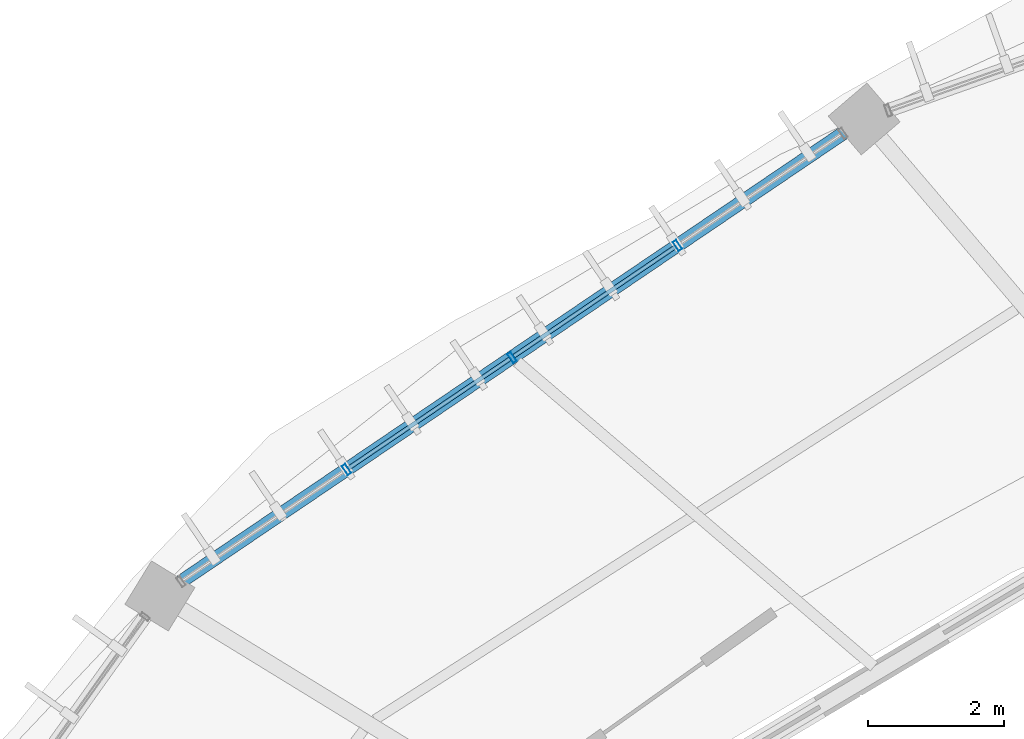
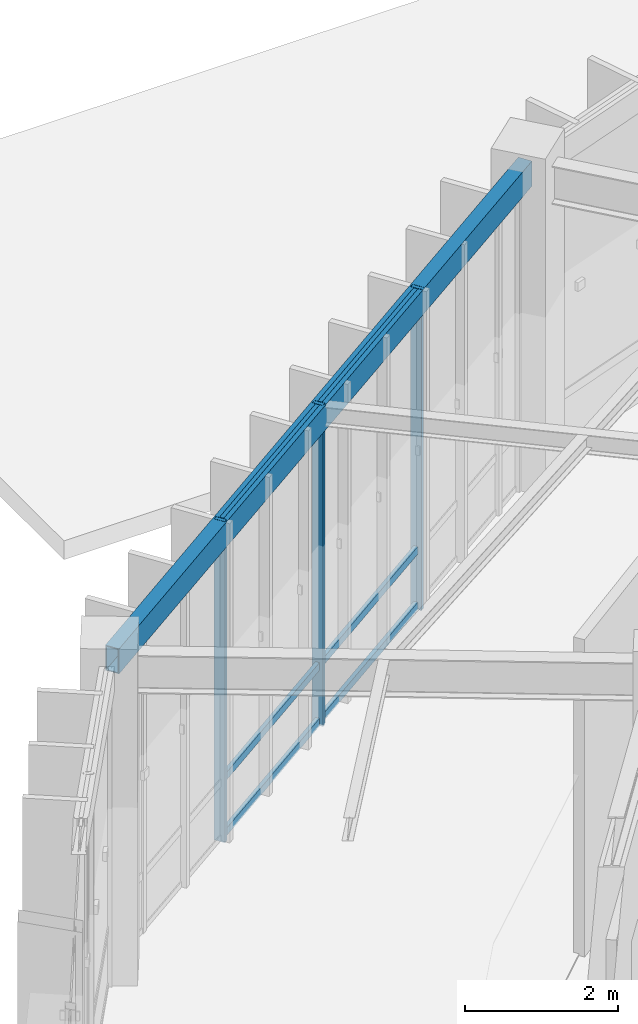
# One storey, part 52 of 157: 9 members, 1 beam, 1 element without a shape of its own.
"""IFC4 building model written with IfcOpenShell, lengths in metres."""

from ifc_helpers import new_model, si_unit, direction, frame, origin, origin_2d, place, context, subcontext, project, spatial, hollow_rectangle, extrude, material, material_profile, profile_set, type_object, element, aggregate, save


model = new_model("IFC4")

# Units and contexts
model_context = context("Model", 3, precision=1e-05, world=origin(), true_north=direction((0.0, 1.0)))
body_context = subcontext(model_context, "Body", "Model", "MODEL_VIEW")
ifc_project = project(units=[si_unit("LENGTHUNIT", "METRE"), si_unit("AREAUNIT", "SQUARE_METRE"), si_unit("VOLUMEUNIT", "CUBIC_METRE"), si_unit("PLANEANGLEUNIT", "RADIAN"), si_unit("MASSUNIT", "GRAM", prefix="KILO"), si_unit("THERMODYNAMICTEMPERATUREUNIT", "KELVIN"), si_unit("POWERUNIT", "WATT")], contexts=[model_context])

# Site, building, storey
site_placement = place(None, origin())
site = spatial("IfcSite", under=ifc_project, at=site_placement, CompositionType="ELEMENT")
building_placement = place(site_placement, origin())
building = spatial("IfcBuilding", under=site, at=building_placement, Name="Darbajah Civic Hall", CompositionType="ELEMENT")
storey_placement = place(building_placement, origin())
storey = spatial("IfcBuildingStorey", under=building, at=storey_placement, Name="L00", CompositionType="ELEMENT", Elevation=0.0)

# Curtain wall, members
ifc_material_1 = material(Name="Anodised Bronze Aluminium and Low-E Glazing", Category="aluminium")
curtain_wall_type = type_object("IfcCurtainWallType", Name="Unitised Curtain Wall CW-08 11800x5100", PredefinedType="USERDEFINED", material=ifc_material_1)
curtain_wall_placement = place(storey_placement, origin())
curtain_wall = element("IfcCurtainWall", 1, at=curtain_wall_placement, inside=storey, type_object=curtain_wall_type, Name="L00 unitised curtain wall CW-V1O-L00-07", ObjectType="UNITISED CURTAIN WALL", PredefinedType="USERDEFINED")
ifc_material_2 = material(Name="Anodised Bronze Aluminium", Category="aluminium")
ifc_material_profile_1 = material_profile(ifc_material_2, hollow_rectangle(XDim=0.06005859375, YDim=0.159912109375, WallThickness=0.00341796875, at=origin_2d()), Name="ALU MULLION 60x160")
ifc_profile_set_1 = profile_set([ifc_material_profile_1], Name="Anodised Bronze Aluminium")
member_type_1 = type_object("IfcMemberType", Name="ALU MULLION 60x160", PredefinedType="MULLION", material=ifc_profile_set_1)
member_1_placement = place(storey_placement, frame((53.2314453125, 110.37158203125, 0.0), z_axis=(0.0, 0.0, 1.0), x_axis=(-0.827962472047, -0.560783509816, 0.0)))
member_1 = element("IfcMember", 2, at=member_1_placement, type_object=member_type_1, Name="CW-V1O-L00-07 mullion 2", PredefinedType="MULLION", context=body_context, shape_type="SweptSolid", body=[
    extrude(hollow_rectangle(XDim=0.06005859375, YDim=0.159912109375, WallThickness=0.00341796875, at=origin_2d()), origin(), (0.0, 0.0, 1.0), 5.1201171875),
])
member_2_placement = place(storey_placement, frame((50.796875, 108.722900390625, 0.0), z_axis=(0.0, 0.0, 1.0), x_axis=(-0.827962472047, -0.560783509816, 0.0)))
member_2 = element("IfcMember", 3, at=member_2_placement, type_object=member_type_1, Name="CW-V1O-L00-07 mullion 3", PredefinedType="MULLION", context=body_context, shape_type="SweptSolid", body=[
    extrude(hollow_rectangle(XDim=0.06005859375, YDim=0.159912109375, WallThickness=0.00341796875, at=origin_2d()), origin(), (0.0, 0.0, 1.0), 5.1201171875),
])
member_3_placement = place(storey_placement, frame((48.362060546875, 107.073974609375, 0.0), z_axis=(0.0, 0.0, 1.0), x_axis=(-0.827962472047, -0.560783509816, 0.0)))
member_3 = element("IfcMember", 4, at=member_3_placement, type_object=member_type_1, Name="CW-V1O-L00-07 mullion 4", PredefinedType="MULLION", context=body_context, shape_type="SweptSolid", body=[
    extrude(hollow_rectangle(XDim=0.06005859375, YDim=0.159912109375, WallThickness=0.00341796875, at=origin_2d()), origin(), (0.0, 0.0, 1.0), 5.1201171875),
])
ifc_material_profile_2 = material_profile(ifc_material_2, hollow_rectangle(XDim=0.06005859375, YDim=0.1201171875, WallThickness=0.003173828125, at=origin_2d()), Name="ALU TRANSOM 60x120")
ifc_profile_set_2 = profile_set([ifc_material_profile_2], Name="Anodised Bronze Aluminium")
member_type_2 = type_object("IfcMemberType", Name="ALU TRANSOM 60x120", PredefinedType="USERDEFINED", material=ifc_profile_set_2)
member_4_placement = place(storey_placement, frame((53.202392578125, 110.35205078125, 0.06005859375), z_axis=(-0.827984930933, -0.560750349218, 0.0), x_axis=(0.560750349218, -0.827984930933, 0.0)))
member_4 = element("IfcMember", 5, at=member_4_placement, type_object=member_type_2, Name="CW-V1O-L00-07 transom 2.1", ObjectType="TRANSOM", PredefinedType="USERDEFINED", context=body_context, shape_type="SweptSolid", body=[
    extrude(hollow_rectangle(XDim=0.06005859375, YDim=0.1201171875, WallThickness=0.003173828125, at=origin_2d()), origin(), (0.0, 0.0, 1.0), 2.870361328125),
])
member_5_placement = place(storey_placement, frame((53.202392578125, 110.35205078125, 0.949951171875), z_axis=(-0.827984930933, -0.560750349218, 0.0), x_axis=(0.560750349218, -0.827984930933, 0.0)))
member_5 = element("IfcMember", 6, at=member_5_placement, type_object=member_type_2, Name="CW-V1O-L00-07 transom 2.2", ObjectType="TRANSOM", PredefinedType="USERDEFINED", context=body_context, shape_type="SweptSolid", body=[
    extrude(hollow_rectangle(XDim=0.06005859375, YDim=0.1201171875, WallThickness=0.003173828125, at=origin_2d()), origin(), (0.0, 0.0, 1.0), 2.870361328125),
])
member_6_placement = place(storey_placement, frame((53.202392578125, 110.35205078125, 5.06005859375), z_axis=(-0.827984930933, -0.560750349218, 0.0), x_axis=(0.560750349218, -0.827984930933, 0.0)))
member_6 = element("IfcMember", 7, at=member_6_placement, type_object=member_type_2, Name="CW-V1O-L00-07 transom 2.3", ObjectType="TRANSOM", PredefinedType="USERDEFINED", context=body_context, shape_type="SweptSolid", body=[
    extrude(hollow_rectangle(XDim=0.06005859375, YDim=0.1201171875, WallThickness=0.003173828125, at=origin_2d()), origin(), (0.0, 0.0, 1.0), 2.870361328125),
])
member_7_placement = place(storey_placement, frame((50.767822265625, 108.703125, 0.06005859375), z_axis=(-0.827984930933, -0.560750349218, 0.0), x_axis=(0.560750349218, -0.827984930933, 0.0)))
member_7 = element("IfcMember", 8, at=member_7_placement, type_object=member_type_2, Name="CW-V1O-L00-07 transom 3.1", ObjectType="TRANSOM", PredefinedType="USERDEFINED", context=body_context, shape_type="SweptSolid", body=[
    extrude(hollow_rectangle(XDim=0.06005859375, YDim=0.1201171875, WallThickness=0.003173828125, at=origin_2d()), origin(), (0.0, 0.0, 1.0), 2.870361328125),
])
member_8_placement = place(storey_placement, frame((50.767822265625, 108.703125, 0.949951171875), z_axis=(-0.827984930933, -0.560750349218, 0.0), x_axis=(0.560750349218, -0.827984930933, 0.0)))
member_8 = element("IfcMember", 9, at=member_8_placement, type_object=member_type_2, Name="CW-V1O-L00-07 transom 3.2", ObjectType="TRANSOM", PredefinedType="USERDEFINED", context=body_context, shape_type="SweptSolid", body=[
    extrude(hollow_rectangle(XDim=0.06005859375, YDim=0.1201171875, WallThickness=0.003173828125, at=origin_2d()), origin(), (0.0, 0.0, 1.0), 2.870361328125),
])
member_9_placement = place(storey_placement, frame((50.767822265625, 108.703125, 5.06005859375), z_axis=(-0.827984930933, -0.560750349218, 0.0), x_axis=(0.560750349218, -0.827984930933, 0.0)))
member_9 = element("IfcMember", 10, at=member_9_placement, type_object=member_type_2, Name="CW-V1O-L00-07 transom 3.3", ObjectType="TRANSOM", PredefinedType="USERDEFINED", context=body_context, shape_type="SweptSolid", body=[
    extrude(hollow_rectangle(XDim=0.06005859375, YDim=0.1201171875, WallThickness=0.003173828125, at=origin_2d()), origin(), (0.0, 0.0, 1.0), 2.870361328125),
])
aggregate(curtain_wall, [member_1, member_2, member_3, member_4, member_5, member_6, member_7, member_8, member_9])

# Beam
ifc_material_3 = material(Name="Steel S355JR", Category="steel")
ifc_material_profile_3 = material_profile(ifc_material_3, hollow_rectangle(XDim=0.199951171875, YDim=0.39990234375, WallThickness=0.013916015625, at=origin_2d()), Name="RHS 400x200x14")
ifc_profile_set_3 = profile_set([ifc_material_profile_3], Name="Steel S355JR")
beam_type = type_object("IfcBeamType", Name="RHS 400x200x14", PredefinedType="SPANDREL", material=ifc_profile_set_3)
beam_placement = place(storey_placement, frame((55.911865234375, 112.18701171875, 4.919921875), z_axis=(-0.827982022698, -0.560754643394, 0.0), x_axis=(0.560754643394, -0.827982022698, 0.0)))
element("IfcBeam", 11, at=beam_placement, inside=storey, type_object=beam_type, Name="L00 beam SP-RHS400", PredefinedType="SPANDREL", context=body_context, shape_type="SweptSolid", body=[
    extrude(hollow_rectangle(XDim=0.199951171875, YDim=0.39990234375, WallThickness=0.013916015625, at=origin_2d()), origin(), (0.0, 0.0, 1.0), 12.355712890625),
])

save(model, "model.ifc")
